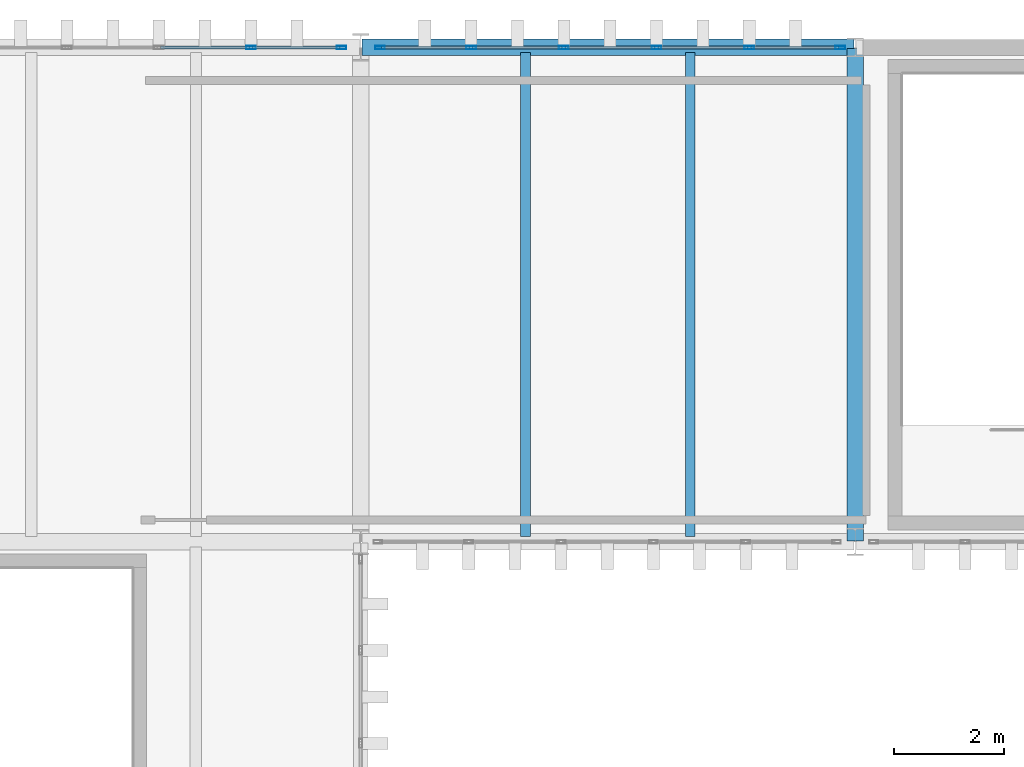
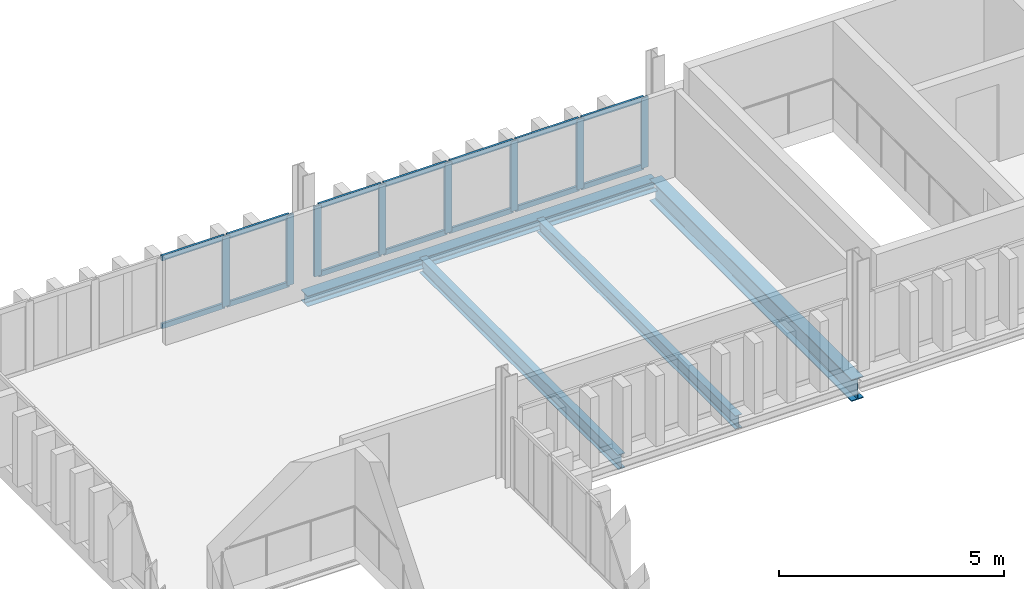
# One storey, part 38 of 58: 22 members, 4 beams, 2 elements without a shape of their own.
"""IFC4 building model written with IfcOpenShell, lengths in metres."""

from ifc_helpers import new_model, si_unit, direction, frame, origin, origin_2d, place, context, subcontext, project, spatial, hollow_rectangle, i_section, extrude, material, layer, layer_set, material_profile, profile_set, type_object, element, aggregate, save


model = new_model("IFC4")

# Units and contexts
model_context = context("Model", 3, precision=1e-05, world=origin(), true_north=direction((0.0, 1.0)))
body_context = subcontext(model_context, "Body", "Model", "MODEL_VIEW")
ifc_project = project(units=[si_unit("LENGTHUNIT", "METRE"), si_unit("AREAUNIT", "SQUARE_METRE"), si_unit("VOLUMEUNIT", "CUBIC_METRE"), si_unit("PLANEANGLEUNIT", "RADIAN"), si_unit("MASSUNIT", "GRAM", prefix="KILO")], contexts=[model_context])

# Site, building, storey
site_placement = place(None, origin())
site = spatial("IfcSite", under=ifc_project, at=site_placement, CompositionType="ELEMENT")
building_placement = place(site_placement, origin())
building = spatial("IfcBuilding", under=site, at=building_placement, Name="Barlavento Convention Centre", CompositionType="ELEMENT")
storey_placement = place(building_placement, frame((0.0, 0.0, 26.800048828125)))
storey = spatial("IfcBuildingStorey", under=building, at=storey_placement, Name="L05", CompositionType="ELEMENT", Elevation=26.800048828125)

# Curtain wall, members
ifc_material_1 = material(Name="Powder-coated aluminium and Low-E glass", Category="aluminium")
ifc_layer = layer(ifc_material_1, 0.18994140625)
ifc_layer_set = layer_set([ifc_layer], Name="ARC-CW-CONF-L05")
curtain_wall_type = type_object("IfcCurtainWallType", Name="ARC-CW-CONF-L05", PredefinedType="NOTDEFINED", material=ifc_layer_set)
curtain_wall_1_placement = place(storey_placement, origin())
curtain_wall_1 = element("IfcCurtainWall", 1, at=curtain_wall_1_placement, inside=storey, type_object=curtain_wall_type, Name="L05 unitised curtain wall CW10", PredefinedType="NOTDEFINED")
ifc_material_2 = material(Name="Powder-coated aluminium", Category="aluminium")
ifc_material_profile_1 = material_profile(ifc_material_2, hollow_rectangle(XDim=0.06005859375, YDim=0.179931640625, WallThickness=0.0048828125, at=origin_2d()), Name="AL-MULL 60x180x5")
ifc_profile_set_1 = profile_set([ifc_material_profile_1], Name="Powder-coated aluminium")
member_type_1 = type_object("IfcMemberType", Name="ARC-CWM-60X180", PredefinedType="MULLION", material=ifc_profile_set_1)
member_1_placement = place(storey_placement, frame((133.0029296875, 99.0, 0.0), z_axis=(0.0, 0.0, 1.0), x_axis=(0.0, 1.0, 0.0)))
member_1 = element("IfcMember", 2, at=member_1_placement, type_object=member_type_1, Name="CW10 mullion 5", PredefinedType="MULLION", context=body_context, shape_type="SweptSolid", body=[
    extrude(hollow_rectangle(XDim=0.06005859375, YDim=0.179931640625, WallThickness=0.0048828125, at=origin_2d()), origin(), (0.0, 0.0, 1.0), 1.89990234375),
])
member_2_placement = place(storey_placement, frame((134.64990234375, 99.0, 0.0), z_axis=(0.0, 0.0, 1.0), x_axis=(0.0, 1.0, 0.0)))
member_2 = element("IfcMember", 3, at=member_2_placement, type_object=member_type_1, Name="CW10 mullion 6", PredefinedType="MULLION", context=body_context, shape_type="SweptSolid", body=[
    extrude(hollow_rectangle(XDim=0.06005859375, YDim=0.179931640625, WallThickness=0.0048828125, at=origin_2d()), origin(), (0.0, 0.0, 1.0), 1.89990234375),
])

curtain_wall_2_placement = place(storey_placement, origin())
curtain_wall_2 = element("IfcCurtainWall", 4, at=curtain_wall_2_placement, inside=storey, type_object=curtain_wall_type, Name="L05 unitised curtain wall CW10", PredefinedType="NOTDEFINED")
member_3_placement = place(storey_placement, frame((135.35009765625, 99.0, 0.0), z_axis=(0.0, 0.0, 1.0), x_axis=(0.0, 1.0, 0.0)))
member_3 = element("IfcMember", 5, at=member_3_placement, type_object=member_type_1, Name="CW10 mullion 1", PredefinedType="MULLION", context=body_context, shape_type="SweptSolid", body=[
    extrude(hollow_rectangle(XDim=0.06005859375, YDim=0.179931640625, WallThickness=0.0048828125, at=origin_2d()), origin(), (0.0, 0.0, 1.0), 1.89990234375),
])
member_4_placement = place(storey_placement, frame((137.008056640625, 99.0, 0.0), z_axis=(0.0, 0.0, 1.0), x_axis=(0.0, 1.0, 0.0)))
member_4 = element("IfcMember", 6, at=member_4_placement, type_object=member_type_1, Name="CW10 mullion 2", PredefinedType="MULLION", context=body_context, shape_type="SweptSolid", body=[
    extrude(hollow_rectangle(XDim=0.06005859375, YDim=0.179931640625, WallThickness=0.0048828125, at=origin_2d()), origin(), (0.0, 0.0, 1.0), 1.89990234375),
])
member_5_placement = place(storey_placement, frame((138.696044921875, 99.0, 0.0), z_axis=(0.0, 0.0, 1.0), x_axis=(0.0, 1.0, 0.0)))
member_5 = element("IfcMember", 7, at=member_5_placement, type_object=member_type_1, Name="CW10 mullion 3", PredefinedType="MULLION", context=body_context, shape_type="SweptSolid", body=[
    extrude(hollow_rectangle(XDim=0.06005859375, YDim=0.179931640625, WallThickness=0.0048828125, at=origin_2d()), origin(), (0.0, 0.0, 1.0), 1.89990234375),
])
member_6_placement = place(storey_placement, frame((140.384033203125, 99.0, 0.0), z_axis=(0.0, 0.0, 1.0), x_axis=(0.0, 1.0, 0.0)))
member_6 = element("IfcMember", 8, at=member_6_placement, type_object=member_type_1, Name="CW10 mullion 4", PredefinedType="MULLION", context=body_context, shape_type="SweptSolid", body=[
    extrude(hollow_rectangle(XDim=0.06005859375, YDim=0.179931640625, WallThickness=0.0048828125, at=origin_2d()), origin(), (0.0, 0.0, 1.0), 1.89990234375),
])
member_7_placement = place(storey_placement, frame((142.072021484375, 99.0, 0.0), z_axis=(0.0, 0.0, 1.0), x_axis=(0.0, 1.0, 0.0)))
member_7 = element("IfcMember", 9, at=member_7_placement, type_object=member_type_1, Name="CW10 mullion 5", PredefinedType="MULLION", context=body_context, shape_type="SweptSolid", body=[
    extrude(hollow_rectangle(XDim=0.06005859375, YDim=0.179931640625, WallThickness=0.0048828125, at=origin_2d()), origin(), (0.0, 0.0, 1.0), 1.89990234375),
])
member_8_placement = place(storey_placement, frame((143.72998046875, 99.0, 0.0), z_axis=(0.0, 0.0, 1.0), x_axis=(0.0, 1.0, 0.0)))
member_8 = element("IfcMember", 10, at=member_8_placement, type_object=member_type_1, Name="CW10 mullion 6", PredefinedType="MULLION", context=body_context, shape_type="SweptSolid", body=[
    extrude(hollow_rectangle(XDim=0.06005859375, YDim=0.179931640625, WallThickness=0.0048828125, at=origin_2d()), origin(), (0.0, 0.0, 1.0), 1.89990234375),
])

# Member
ifc_material_profile_2 = material_profile(ifc_material_2, hollow_rectangle(XDim=0.06005859375, YDim=0.139892578125, WallThickness=0.00390625, at=origin_2d()), Name="AL-TRAN 60x140x4")
ifc_profile_set_2 = profile_set([ifc_material_profile_2], Name="Powder-coated aluminium")
member_type_2 = type_object("IfcMemberType", Name="ARC-CWT-60X140", PredefinedType="USERDEFINED", material=ifc_profile_set_2)
member_9_placement = place(storey_placement, frame((131.35595703125, 99.0, 0.030029296875), z_axis=(1.0, 0.0, 0.0), x_axis=(0.0, 1.0, 0.0)))
member_9 = element("IfcMember", 11, at=member_9_placement, type_object=member_type_2, Name="CW10 transom 4.1", ObjectType="TRANSOM", PredefinedType="USERDEFINED", context=body_context, shape_type="SweptSolid", body=[
    extrude(hollow_rectangle(XDim=0.06005859375, YDim=0.139892578125, WallThickness=0.00390625, at=origin_2d()), origin(), (0.0, 0.0, 1.0), 1.616943359375),
])

member_10_placement = place(storey_placement, frame((131.35595703125, 99.0, 1.869873046875), z_axis=(1.0, 0.0, 0.0), x_axis=(0.0, 1.0, 0.0)))
member_10 = element("IfcMember", 12, at=member_10_placement, type_object=member_type_2, Name="CW10 transom 4.2", ObjectType="TRANSOM", PredefinedType="USERDEFINED", context=body_context, shape_type="SweptSolid", body=[
    extrude(hollow_rectangle(XDim=0.06005859375, YDim=0.139892578125, WallThickness=0.00390625, at=origin_2d()), origin(), (0.0, 0.0, 1.0), 1.616943359375),
])

member_11_placement = place(storey_placement, frame((133.032958984375, 99.0, 0.030029296875), z_axis=(1.0, 0.0, 0.0), x_axis=(0.0, 1.0, 0.0)))
member_11 = element("IfcMember", 13, at=member_11_placement, type_object=member_type_2, Name="CW10 transom 5.1", ObjectType="TRANSOM", PredefinedType="USERDEFINED", context=body_context, shape_type="SweptSolid", body=[
    extrude(hollow_rectangle(XDim=0.06005859375, YDim=0.139892578125, WallThickness=0.00390625, at=origin_2d()), origin(), (0.0, 0.0, 1.0), 1.587158203125),
])

member_12_placement = place(storey_placement, frame((133.032958984375, 99.0, 1.869873046875), z_axis=(1.0, 0.0, 0.0), x_axis=(0.0, 1.0, 0.0)))
member_12 = element("IfcMember", 14, at=member_12_placement, type_object=member_type_2, Name="CW10 transom 5.2", ObjectType="TRANSOM", PredefinedType="USERDEFINED", context=body_context, shape_type="SweptSolid", body=[
    extrude(hollow_rectangle(XDim=0.06005859375, YDim=0.139892578125, WallThickness=0.00390625, at=origin_2d()), origin(), (0.0, 0.0, 1.0), 1.587158203125),
])

aggregate(curtain_wall_1, [member_1, member_2, member_9, member_10, member_11, member_12])

member_13_placement = place(storey_placement, frame((135.3798828125, 99.0, 0.030029296875), z_axis=(1.0, 0.0, 0.0), x_axis=(0.0, 1.0, 0.0)))
member_13 = element("IfcMember", 15, at=member_13_placement, type_object=member_type_2, Name="CW10 transom 1.1", ObjectType="TRANSOM", PredefinedType="USERDEFINED", context=body_context, shape_type="SweptSolid", body=[
    extrude(hollow_rectangle(XDim=0.06005859375, YDim=0.139892578125, WallThickness=0.00390625, at=origin_2d()), origin(), (0.0, 0.0, 1.0), 1.59814453125),
])

member_14_placement = place(storey_placement, frame((135.3798828125, 99.0, 1.869873046875), z_axis=(1.0, 0.0, 0.0), x_axis=(0.0, 1.0, 0.0)))
member_14 = element("IfcMember", 16, at=member_14_placement, type_object=member_type_2, Name="CW10 transom 1.2", ObjectType="TRANSOM", PredefinedType="USERDEFINED", context=body_context, shape_type="SweptSolid", body=[
    extrude(hollow_rectangle(XDim=0.06005859375, YDim=0.139892578125, WallThickness=0.00390625, at=origin_2d()), origin(), (0.0, 0.0, 1.0), 1.59814453125),
])

member_15_placement = place(storey_placement, frame((137.0380859375, 99.0, 0.030029296875), z_axis=(1.0, 0.0, 0.0), x_axis=(0.0, 1.0, 0.0)))
member_15 = element("IfcMember", 17, at=member_15_placement, type_object=member_type_2, Name="CW10 transom 2.1", ObjectType="TRANSOM", PredefinedType="USERDEFINED", context=body_context, shape_type="SweptSolid", body=[
    extrude(hollow_rectangle(XDim=0.06005859375, YDim=0.139892578125, WallThickness=0.00390625, at=origin_2d()), origin(), (0.0, 0.0, 1.0), 1.6279296875),
])

member_16_placement = place(storey_placement, frame((137.0380859375, 99.0, 1.869873046875), z_axis=(1.0, 0.0, 0.0), x_axis=(0.0, 1.0, 0.0)))
member_16 = element("IfcMember", 18, at=member_16_placement, type_object=member_type_2, Name="CW10 transom 2.2", ObjectType="TRANSOM", PredefinedType="USERDEFINED", context=body_context, shape_type="SweptSolid", body=[
    extrude(hollow_rectangle(XDim=0.06005859375, YDim=0.139892578125, WallThickness=0.00390625, at=origin_2d()), origin(), (0.0, 0.0, 1.0), 1.6279296875),
])

member_17_placement = place(storey_placement, frame((138.72607421875, 99.0, 0.030029296875), z_axis=(1.0, 0.0, 0.0), x_axis=(0.0, 1.0, 0.0)))
member_17 = element("IfcMember", 19, at=member_17_placement, type_object=member_type_2, Name="CW10 transom 3.1", ObjectType="TRANSOM", PredefinedType="USERDEFINED", context=body_context, shape_type="SweptSolid", body=[
    extrude(hollow_rectangle(XDim=0.06005859375, YDim=0.139892578125, WallThickness=0.00390625, at=origin_2d()), origin(), (0.0, 0.0, 1.0), 1.6279296875),
])

member_18_placement = place(storey_placement, frame((138.72607421875, 99.0, 1.869873046875), z_axis=(1.0, 0.0, 0.0), x_axis=(0.0, 1.0, 0.0)))
member_18 = element("IfcMember", 20, at=member_18_placement, type_object=member_type_2, Name="CW10 transom 3.2", ObjectType="TRANSOM", PredefinedType="USERDEFINED", context=body_context, shape_type="SweptSolid", body=[
    extrude(hollow_rectangle(XDim=0.06005859375, YDim=0.139892578125, WallThickness=0.00390625, at=origin_2d()), origin(), (0.0, 0.0, 1.0), 1.6279296875),
])

member_19_placement = place(storey_placement, frame((140.4140625, 99.0, 0.030029296875), z_axis=(1.0, 0.0, 0.0), x_axis=(0.0, 1.0, 0.0)))
member_19 = element("IfcMember", 21, at=member_19_placement, type_object=member_type_2, Name="CW10 transom 4.1", ObjectType="TRANSOM", PredefinedType="USERDEFINED", context=body_context, shape_type="SweptSolid", body=[
    extrude(hollow_rectangle(XDim=0.06005859375, YDim=0.139892578125, WallThickness=0.00390625, at=origin_2d()), origin(), (0.0, 0.0, 1.0), 1.6279296875),
])

member_20_placement = place(storey_placement, frame((140.4140625, 99.0, 1.869873046875), z_axis=(1.0, 0.0, 0.0), x_axis=(0.0, 1.0, 0.0)))
member_20 = element("IfcMember", 22, at=member_20_placement, type_object=member_type_2, Name="CW10 transom 4.2", ObjectType="TRANSOM", PredefinedType="USERDEFINED", context=body_context, shape_type="SweptSolid", body=[
    extrude(hollow_rectangle(XDim=0.06005859375, YDim=0.139892578125, WallThickness=0.00390625, at=origin_2d()), origin(), (0.0, 0.0, 1.0), 1.6279296875),
])

member_21_placement = place(storey_placement, frame((142.10205078125, 99.0, 0.030029296875), z_axis=(1.0, 0.0, 0.0), x_axis=(0.0, 1.0, 0.0)))
member_21 = element("IfcMember", 23, at=member_21_placement, type_object=member_type_2, Name="CW10 transom 5.1", ObjectType="TRANSOM", PredefinedType="USERDEFINED", context=body_context, shape_type="SweptSolid", body=[
    extrude(hollow_rectangle(XDim=0.06005859375, YDim=0.139892578125, WallThickness=0.00390625, at=origin_2d()), origin(), (0.0, 0.0, 1.0), 1.597900390625),
])

member_22_placement = place(storey_placement, frame((142.10205078125, 99.0, 1.869873046875), z_axis=(1.0, 0.0, 0.0), x_axis=(0.0, 1.0, 0.0)))
member_22 = element("IfcMember", 24, at=member_22_placement, type_object=member_type_2, Name="CW10 transom 5.2", ObjectType="TRANSOM", PredefinedType="USERDEFINED", context=body_context, shape_type="SweptSolid", body=[
    extrude(hollow_rectangle(XDim=0.06005859375, YDim=0.139892578125, WallThickness=0.00390625, at=origin_2d()), origin(), (0.0, 0.0, 1.0), 1.597900390625),
])

aggregate(curtain_wall_2, [member_3, member_4, member_5, member_6, member_7, member_8, member_13, member_14, member_15, member_16, member_17, member_18, member_19, member_20, member_21, member_22])

# Beams
ifc_material_3 = material(Name="Steel S355", Category="steel")
ifc_material_profile_3 = material_profile(ifc_material_3, i_section(OverallWidth=0.169921875, OverallDepth=0.360107421875, WebThickness=0.008056640625, FlangeThickness=0.0126953125, FilletRadius=0.01806640625, at=origin_2d()), Name="IPE 360")
ifc_profile_set_3 = profile_set([ifc_material_profile_3], Name="Steel S355")
beam_type_1 = type_object("IfcBeamType", Name="STR-BM-JST-IPE360", PredefinedType="JOIST", material=ifc_profile_set_3)
beam_1_placement = place(storey_placement, frame((141.0, 90.094970703125, -0.5400390625), z_axis=(0.0, 1.0, 0.0), x_axis=(-1.0, 0.0, 0.0)))
element("IfcBeam", 25, at=beam_1_placement, inside=storey, type_object=beam_type_1, Name="L05 composite floor joist SJ05", PredefinedType="JOIST", context=body_context, shape_type="SweptSolid", body=[
    extrude(i_section(OverallWidth=0.169921875, OverallDepth=0.360107421875, WebThickness=0.008056640625, FlangeThickness=0.0126953125, FilletRadius=0.01806640625, at=origin_2d()), origin(), (0.0, 0.0, 1.0), 8.81005859375),
])
ifc_material_profile_4 = material_profile(ifc_material_3, i_section(OverallWidth=0.179931640625, OverallDepth=0.39990234375, WebThickness=0.008544921875, FlangeThickness=0.013427734375, FilletRadius=0.02099609375, at=origin_2d()), Name="IPE 400")
ifc_profile_set_4 = profile_set([ifc_material_profile_4], Name="Steel S355")
beam_type_2 = type_object("IfcBeamType", Name="STR-BM-JST-IPE400", PredefinedType="JOIST", material=ifc_profile_set_4)
beam_2_placement = place(storey_placement, frame((138.0, 90.094970703125, -0.56005859375), z_axis=(0.0, 1.0, 0.0), x_axis=(-1.0, 0.0, 0.0)))
element("IfcBeam", 26, at=beam_2_placement, inside=storey, type_object=beam_type_2, Name="L05 composite floor joist SJ04", PredefinedType="JOIST", context=body_context, shape_type="SweptSolid", body=[
    extrude(i_section(OverallWidth=0.179931640625, OverallDepth=0.39990234375, WebThickness=0.008544921875, FlangeThickness=0.013427734375, FilletRadius=0.02099609375, at=origin_2d()), origin(), (0.0, 0.0, 1.0), 8.81005859375),
])
ifc_material_profile_5 = material_profile(ifc_material_3, i_section(OverallWidth=0.300048828125, OverallDepth=0.590087890625, WebThickness=0.012939453125, FlangeThickness=0.02490234375, FilletRadius=0.027099609375, at=origin_2d()), Name="HEA 600")
ifc_profile_set_5 = profile_set([ifc_material_profile_5], Name="Steel S355")
beam_type_3 = type_object("IfcBeamType", Name="STR-BM-PRI-HEA600", PredefinedType="BEAM", material=ifc_profile_set_5)
beam_3_placement = place(storey_placement, frame((144.0, 90.02001953125, -0.655029296875), z_axis=(0.0, 1.0, 0.0), x_axis=(-1.0, 0.0, 0.0)))
element("IfcBeam", 27, at=beam_3_placement, inside=storey, type_object=beam_type_3, Name="L05 grid girder BG18", PredefinedType="BEAM", context=body_context, shape_type="SweptSolid", body=[
    extrude(i_section(OverallWidth=0.300048828125, OverallDepth=0.590087890625, WebThickness=0.012939453125, FlangeThickness=0.02490234375, FilletRadius=0.027099609375, at=origin_2d()), origin(), (0.0, 0.0, 1.0), 8.9599609375),
])
ifc_material_profile_6 = material_profile(ifc_material_3, i_section(OverallWidth=0.300048828125, OverallDepth=0.2900390625, WebThickness=0.008544921875, FlangeThickness=0.013916015625, FilletRadius=0.027099609375, at=origin_2d()), Name="HEA 300")
ifc_profile_set_6 = profile_set([ifc_material_profile_6], Name="Steel S355")
beam_type_4 = type_object("IfcBeamType", Name="STR-BM-SPN-HEA300", PredefinedType="SPANDREL", material=ifc_profile_set_6)
beam_4_placement = place(storey_placement, frame((135.02001953125, 99.0, -0.505126953125), z_axis=(1.0, 0.0, 0.0), x_axis=(0.0, 1.0, 0.0)))
element("IfcBeam", 28, at=beam_4_placement, inside=storey, type_object=beam_type_4, Name="L05 primary girder SP02", PredefinedType="SPANDREL", context=body_context, shape_type="SweptSolid", body=[
    extrude(i_section(OverallWidth=0.300048828125, OverallDepth=0.2900390625, WebThickness=0.008544921875, FlangeThickness=0.013916015625, FilletRadius=0.027099609375, at=origin_2d()), origin(), (0.0, 0.0, 1.0), 8.9599609375),
])

save(model, "model.ifc")
